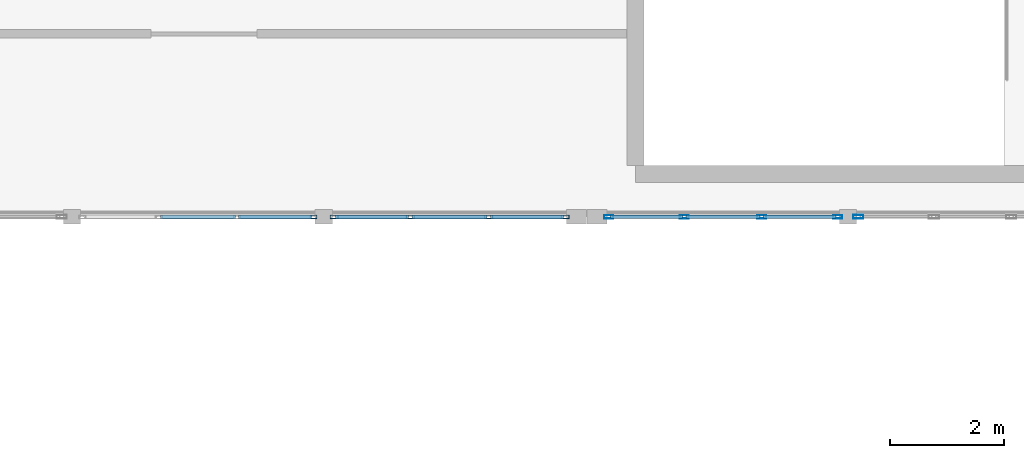
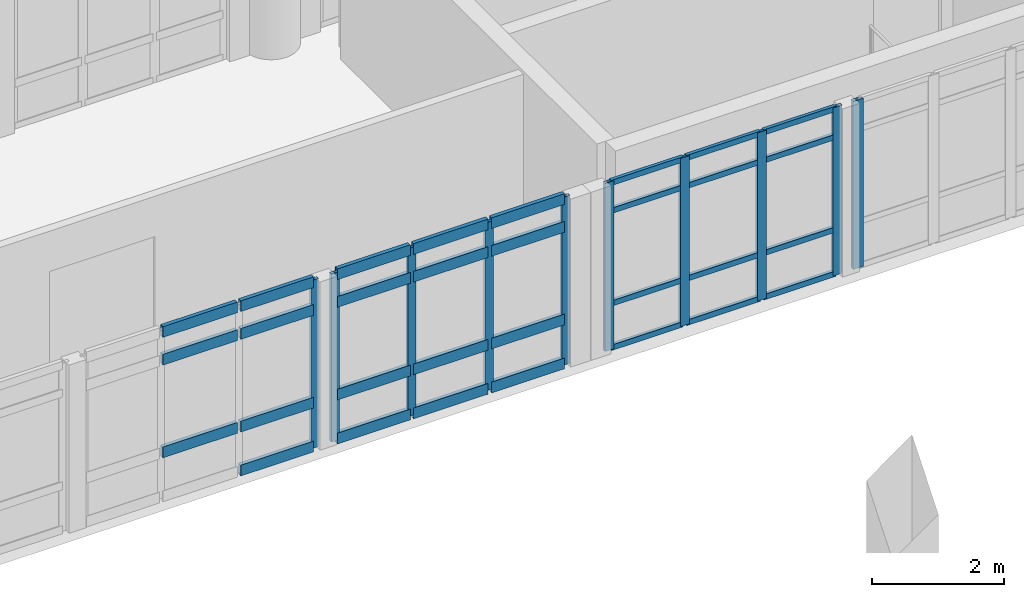
# One storey, part 7 of 37: 41 members, 4 elements without a shape of their own.
"""IFC4 building model written with IfcOpenShell, lengths in metres."""

from ifc_helpers import new_model, si_unit, direction, frame, origin, origin_2d, place, context, subcontext, project, spatial, hollow_rectangle, extrude, material, layer, layer_set, material_profile, profile_set, type_object, element, aggregate, save


model = new_model("IFC4")

# Units and contexts
model_context = context("Model", 3, precision=1e-05, world=origin(), true_north=direction((0.0, 1.0)))
body_context = subcontext(model_context, "Body", "Model", "MODEL_VIEW")
ifc_project = project(units=[si_unit("LENGTHUNIT", "METRE"), si_unit("AREAUNIT", "SQUARE_METRE"), si_unit("VOLUMEUNIT", "CUBIC_METRE"), si_unit("PLANEANGLEUNIT", "RADIAN"), si_unit("MASSUNIT", "GRAM", prefix="KILO")], contexts=[model_context])

# Site, building, storey
site_placement = place(None, origin())
site = spatial("IfcSite", under=ifc_project, at=site_placement, CompositionType="ELEMENT")
building_placement = place(site_placement, origin())
building = spatial("IfcBuilding", under=site, at=building_placement, Name="Fikremerkos Civic Library", CompositionType="ELEMENT")
storey_placement = place(building_placement, frame((0.0, 0.0, 23.39990234375)))
storey = spatial("IfcBuildingStorey", under=building, at=storey_placement, Name="L05", CompositionType="ELEMENT", Elevation=23.39990234375)

# Curtain wall, member
ifc_material = material(Name="Anodized aluminium Frame", Category="aluminium")
ifc_layer_1 = layer(ifc_material, 0.159912109375, Name="Anodized aluminium Frame")
ifc_layer_set_1 = layer_set([ifc_layer_1], Name="Anodized aluminium Frame")
curtain_wall_type_1 = type_object("IfcCurtainWallType", Name="Unitised curtain wall CW-05 3800x4100", PredefinedType="USERDEFINED", material=ifc_layer_set_1)
curtain_wall_1_placement = place(storey_placement, origin())
curtain_wall_1 = element("IfcCurtainWall", 1, at=curtain_wall_1_placement, inside=storey, type_object=curtain_wall_type_1, Name="Unitised curtain wall CW-05 L05 #293", ObjectType="UNITISED CURTAIN WALL", PredefinedType="USERDEFINED")
ifc_material_profile_1 = material_profile(ifc_material, hollow_rectangle(XDim=0.06494140625, YDim=0.179931640625, WallThickness=0.00439453125, at=origin_2d()), Name="ALU 180x65x4.5")
ifc_profile_set_1 = profile_set([ifc_material_profile_1], Name="Anodized aluminium Frame")
member_type_1 = type_object("IfcMemberType", Name="Curtain mullion CWM-01 ALU 180x65x4.5", PredefinedType="MULLION", material=ifc_profile_set_1)
member_1_placement = place(storey_placement, frame((50.949951171875, 21.60009765625, 0.0), z_axis=(0.0, 0.0, 1.0), x_axis=(0.0, -1.0, 0.0)))
member_1 = element("IfcMember", 2, at=member_1_placement, type_object=member_type_1, Name="CW-05 mullion 4", PredefinedType="MULLION", context=body_context, shape_type="SweptSolid", body=[
    extrude(hollow_rectangle(XDim=0.06494140625, YDim=0.179931640625, WallThickness=0.00439453125, at=origin_2d()), origin(), (0.0, 0.0, 1.0), 3.1201171875),
])
aggregate(curtain_wall_1, [member_1])

# Curtain wall, members
ifc_layer_2 = layer(ifc_material, 0.159912109375, Name="Anodized aluminium Frame")
ifc_layer_set_2 = layer_set([ifc_layer_2], Name="Anodized aluminium Frame")
curtain_wall_type_2 = type_object("IfcCurtainWallType", Name="Unitised curtain wall CW-06 4200x4100", PredefinedType="USERDEFINED", material=ifc_layer_set_2)
curtain_wall_2_placement = place(storey_placement, origin())
curtain_wall_2 = element("IfcCurtainWall", 3, at=curtain_wall_2_placement, inside=storey, type_object=curtain_wall_type_2, Name="Unitised curtain wall CW-06 L05 #294", ObjectType="UNITISED CURTAIN WALL", PredefinedType="USERDEFINED")
ifc_material_profile_2 = material_profile(ifc_material, hollow_rectangle(XDim=0.06005859375, YDim=0.159912109375, WallThickness=0.00390625, at=origin_2d()), Name="ALU 160x60x4")
ifc_profile_set_2 = profile_set([ifc_material_profile_2], Name="Anodized aluminium Frame")
member_type_2 = type_object("IfcMemberType", Name="Curtain mullion CWM-02 ALU 160x60x4", PredefinedType="MULLION", material=ifc_profile_set_2)
member_2_placement = place(storey_placement, frame((50.58740234375, 21.60009765625, 0.0), z_axis=(0.0, 0.0, 1.0), x_axis=(0.0, -1.0, 0.0)))
member_2 = element("IfcMember", 4, at=member_2_placement, type_object=member_type_2, Name="CW-06 mullion 1", PredefinedType="MULLION", context=body_context, shape_type="SweptSolid", body=[
    extrude(hollow_rectangle(XDim=0.06005859375, YDim=0.159912109375, WallThickness=0.00390625, at=origin_2d()), origin(), (0.0, 0.0, 1.0), 3.1201171875),
])
member_3_placement = place(storey_placement, frame((49.26220703125, 21.60009765625, 0.0), z_axis=(0.0, 0.0, 1.0), x_axis=(0.0, -1.0, 0.0)))
member_3 = element("IfcMember", 5, at=member_3_placement, type_object=member_type_2, Name="CW-06 mullion 2", PredefinedType="MULLION", context=body_context, shape_type="SweptSolid", body=[
    extrude(hollow_rectangle(XDim=0.06005859375, YDim=0.159912109375, WallThickness=0.00390625, at=origin_2d()), origin(), (0.0, 0.0, 1.0), 3.1201171875),
])
member_4_placement = place(storey_placement, frame((47.9072265625, 21.60009765625, 0.0), z_axis=(0.0, 0.0, 1.0), x_axis=(0.0, -1.0, 0.0)))
member_4 = element("IfcMember", 6, at=member_4_placement, type_object=member_type_2, Name="CW-06 mullion 3", PredefinedType="MULLION", context=body_context, shape_type="SweptSolid", body=[
    extrude(hollow_rectangle(XDim=0.06005859375, YDim=0.159912109375, WallThickness=0.00390625, at=origin_2d()), origin(), (0.0, 0.0, 1.0), 3.1201171875),
])
member_5_placement = place(storey_placement, frame((46.58203125, 21.60009765625, 0.0), z_axis=(0.0, 0.0, 1.0), x_axis=(0.0, -1.0, 0.0)))
member_5 = element("IfcMember", 7, at=member_5_placement, type_object=member_type_2, Name="CW-06 mullion 4", PredefinedType="MULLION", context=body_context, shape_type="SweptSolid", body=[
    extrude(hollow_rectangle(XDim=0.06005859375, YDim=0.159912109375, WallThickness=0.00390625, at=origin_2d()), origin(), (0.0, 0.0, 1.0), 3.1201171875),
])

ifc_layer_3 = layer(ifc_material, 0.159912109375, Name="Anodized aluminium Frame")
ifc_layer_set_3 = layer_set([ifc_layer_3], Name="Anodized aluminium Frame")
curtain_wall_type_3 = type_object("IfcCurtainWallType", Name="Unitised curtain wall CW-07 3500x4100", PredefinedType="USERDEFINED", material=ifc_layer_set_3)
curtain_wall_3_placement = place(storey_placement, origin())
curtain_wall_3 = element("IfcCurtainWall", 8, at=curtain_wall_3_placement, inside=storey, type_object=curtain_wall_type_3, Name="Unitised curtain wall CW-07 L05 #295", ObjectType="UNITISED CURTAIN WALL", PredefinedType="USERDEFINED")
ifc_material_profile_3 = material_profile(ifc_material, hollow_rectangle(XDim=0.06005859375, YDim=0.139892578125, WallThickness=0.00390625, at=origin_2d()), Name="ALU 140x60x4")
ifc_profile_set_3 = profile_set([ifc_material_profile_3], Name="Anodized aluminium Frame")
member_type_3 = type_object("IfcMemberType", Name="Curtain mullion CWM-03 ALU 140x60x4", PredefinedType="MULLION", material=ifc_profile_set_3)
member_6_placement = place(storey_placement, frame((45.818115234375, 21.60009765625, 0.0), z_axis=(0.0, 0.0, 1.0), x_axis=(0.0, -1.0, 0.0)))
member_6 = element("IfcMember", 9, at=member_6_placement, type_object=member_type_3, Name="CW-07 mullion 1", PredefinedType="MULLION", context=body_context, shape_type="SweptSolid", body=[
    extrude(hollow_rectangle(XDim=0.06005859375, YDim=0.139892578125, WallThickness=0.00390625, at=origin_2d()), origin(), (0.0, 0.0, 1.0), 3.1201171875),
])
member_7_placement = place(storey_placement, frame((44.48046875, 21.60009765625, 0.0), z_axis=(0.0, 0.0, 1.0), x_axis=(0.0, -1.0, 0.0)))
member_7 = element("IfcMember", 10, at=member_7_placement, type_object=member_type_3, Name="CW-07 mullion 2", PredefinedType="MULLION", context=body_context, shape_type="SweptSolid", body=[
    extrude(hollow_rectangle(XDim=0.06005859375, YDim=0.139892578125, WallThickness=0.00390625, at=origin_2d()), origin(), (0.0, 0.0, 1.0), 3.1201171875),
])
member_8_placement = place(storey_placement, frame((43.11279296875, 21.60009765625, 0.0), z_axis=(0.0, 0.0, 1.0), x_axis=(0.0, -1.0, 0.0)))
member_8 = element("IfcMember", 11, at=member_8_placement, type_object=member_type_3, Name="CW-07 mullion 3", PredefinedType="MULLION", context=body_context, shape_type="SweptSolid", body=[
    extrude(hollow_rectangle(XDim=0.06005859375, YDim=0.139892578125, WallThickness=0.00390625, at=origin_2d()), origin(), (0.0, 0.0, 1.0), 3.1201171875),
])
member_9_placement = place(storey_placement, frame((41.775390625, 21.60009765625, 0.0), z_axis=(0.0, 0.0, 1.0), x_axis=(0.0, -1.0, 0.0)))
member_9 = element("IfcMember", 12, at=member_9_placement, type_object=member_type_3, Name="CW-07 mullion 4", PredefinedType="MULLION", context=body_context, shape_type="SweptSolid", body=[
    extrude(hollow_rectangle(XDim=0.06005859375, YDim=0.139892578125, WallThickness=0.00390625, at=origin_2d()), origin(), (0.0, 0.0, 1.0), 3.1201171875),
])

# Curtain wall, member
ifc_layer_4 = layer(ifc_material, 0.159912109375, Name="Anodized aluminium Frame")
ifc_layer_set_4 = layer_set([ifc_layer_4], Name="Anodized aluminium Frame")
curtain_wall_type_4 = type_object("IfcCurtainWallType", Name="Unitised curtain wall CW-08 4500x4100", PredefinedType="USERDEFINED", material=ifc_layer_set_4)
curtain_wall_4_placement = place(storey_placement, origin())
curtain_wall_4 = element("IfcCurtainWall", 13, at=curtain_wall_4_placement, inside=storey, type_object=curtain_wall_type_4, Name="Unitised curtain wall CW-08 L05 #296", ObjectType="UNITISED CURTAIN WALL", PredefinedType="USERDEFINED")
ifc_material_profile_4 = material_profile(ifc_material, hollow_rectangle(XDim=0.06005859375, YDim=0.1201171875, WallThickness=0.00390625, at=origin_2d()), Name="ALU 120x60x4")
ifc_profile_set_4 = profile_set([ifc_material_profile_4], Name="Anodized aluminium Frame")
member_type_4 = type_object("IfcMemberType", Name="Curtain mullion CWM-04 ALU 120x60x4", PredefinedType="MULLION", material=ifc_profile_set_4)
member_10_placement = place(storey_placement, frame((41.415283203125, 21.60009765625, 0.0), z_axis=(0.0, 0.0, 1.0), x_axis=(0.0, -1.0, 0.0)))
member_10 = element("IfcMember", 14, at=member_10_placement, type_object=member_type_4, Name="CW-08 mullion 1", PredefinedType="MULLION", context=body_context, shape_type="SweptSolid", body=[
    extrude(hollow_rectangle(XDim=0.06005859375, YDim=0.1201171875, WallThickness=0.00390625, at=origin_2d()), origin(), (0.0, 0.0, 1.0), 3.1201171875),
])

# Member
ifc_material_profile_5 = material_profile(ifc_material, hollow_rectangle(XDim=0.06005859375, YDim=0.10009765625, WallThickness=0.00390625, at=origin_2d()), Name="ALU 100x60x4")
ifc_profile_set_5 = profile_set([ifc_material_profile_5], Name="Anodized aluminium Frame")
member_type_5 = type_object("IfcMemberType", Name="Curtain transom CWT-03 ALU 100x60x4", PredefinedType="USERDEFINED", material=ifc_profile_set_5)
member_11_placement = place(storey_placement, frame((50.557373046875, 21.60009765625, 0.030029296875), z_axis=(-1.0, 0.0, 0.0), x_axis=(0.0, -1.0, 0.0)))
member_11 = element("IfcMember", 15, at=member_11_placement, type_object=member_type_5, Name="CW-06 transom 1.1", ObjectType="TRANSOM", PredefinedType="USERDEFINED", context=body_context, shape_type="SweptSolid", body=[
    extrude(hollow_rectangle(XDim=0.06005859375, YDim=0.10009765625, WallThickness=0.00390625, at=origin_2d()), origin(), (0.0, 0.0, 1.0), 1.26513671875),
])

member_12_placement = place(storey_placement, frame((50.557373046875, 21.60009765625, 0.85009765625), z_axis=(-1.0, 0.0, 0.0), x_axis=(0.0, -1.0, 0.0)))
member_12 = element("IfcMember", 16, at=member_12_placement, type_object=member_type_5, Name="CW-06 transom 1.2", ObjectType="TRANSOM", PredefinedType="USERDEFINED", context=body_context, shape_type="SweptSolid", body=[
    extrude(hollow_rectangle(XDim=0.06005859375, YDim=0.10009765625, WallThickness=0.00390625, at=origin_2d()), origin(), (0.0, 0.0, 1.0), 1.26513671875),
])

member_13_placement = place(storey_placement, frame((50.557373046875, 21.60009765625, 2.570068359375), z_axis=(-1.0, 0.0, 0.0), x_axis=(0.0, -1.0, 0.0)))
member_13 = element("IfcMember", 17, at=member_13_placement, type_object=member_type_5, Name="CW-06 transom 1.3", ObjectType="TRANSOM", PredefinedType="USERDEFINED", context=body_context, shape_type="SweptSolid", body=[
    extrude(hollow_rectangle(XDim=0.06005859375, YDim=0.10009765625, WallThickness=0.00390625, at=origin_2d()), origin(), (0.0, 0.0, 1.0), 1.26513671875),
])

member_14_placement = place(storey_placement, frame((50.557373046875, 21.60009765625, 3.090087890625), z_axis=(-1.0, 0.0, 0.0), x_axis=(0.0, -1.0, 0.0)))
member_14 = element("IfcMember", 18, at=member_14_placement, type_object=member_type_5, Name="CW-06 transom 1.4", ObjectType="TRANSOM", PredefinedType="USERDEFINED", context=body_context, shape_type="SweptSolid", body=[
    extrude(hollow_rectangle(XDim=0.06005859375, YDim=0.10009765625, WallThickness=0.00390625, at=origin_2d()), origin(), (0.0, 0.0, 1.0), 1.26513671875),
])

member_15_placement = place(storey_placement, frame((49.232177734375, 21.60009765625, 0.030029296875), z_axis=(-1.0, 0.0, 0.0), x_axis=(0.0, -1.0, 0.0)))
member_15 = element("IfcMember", 19, at=member_15_placement, type_object=member_type_5, Name="CW-06 transom 2.1", ObjectType="TRANSOM", PredefinedType="USERDEFINED", context=body_context, shape_type="SweptSolid", body=[
    extrude(hollow_rectangle(XDim=0.06005859375, YDim=0.10009765625, WallThickness=0.00390625, at=origin_2d()), origin(), (0.0, 0.0, 1.0), 1.295166015625),
])

member_16_placement = place(storey_placement, frame((49.232177734375, 21.60009765625, 0.85009765625), z_axis=(-1.0, 0.0, 0.0), x_axis=(0.0, -1.0, 0.0)))
member_16 = element("IfcMember", 20, at=member_16_placement, type_object=member_type_5, Name="CW-06 transom 2.2", ObjectType="TRANSOM", PredefinedType="USERDEFINED", context=body_context, shape_type="SweptSolid", body=[
    extrude(hollow_rectangle(XDim=0.06005859375, YDim=0.10009765625, WallThickness=0.00390625, at=origin_2d()), origin(), (0.0, 0.0, 1.0), 1.295166015625),
])

member_17_placement = place(storey_placement, frame((49.232177734375, 21.60009765625, 2.570068359375), z_axis=(-1.0, 0.0, 0.0), x_axis=(0.0, -1.0, 0.0)))
member_17 = element("IfcMember", 21, at=member_17_placement, type_object=member_type_5, Name="CW-06 transom 2.3", ObjectType="TRANSOM", PredefinedType="USERDEFINED", context=body_context, shape_type="SweptSolid", body=[
    extrude(hollow_rectangle(XDim=0.06005859375, YDim=0.10009765625, WallThickness=0.00390625, at=origin_2d()), origin(), (0.0, 0.0, 1.0), 1.295166015625),
])

member_18_placement = place(storey_placement, frame((49.232177734375, 21.60009765625, 3.090087890625), z_axis=(-1.0, 0.0, 0.0), x_axis=(0.0, -1.0, 0.0)))
member_18 = element("IfcMember", 22, at=member_18_placement, type_object=member_type_5, Name="CW-06 transom 2.4", ObjectType="TRANSOM", PredefinedType="USERDEFINED", context=body_context, shape_type="SweptSolid", body=[
    extrude(hollow_rectangle(XDim=0.06005859375, YDim=0.10009765625, WallThickness=0.00390625, at=origin_2d()), origin(), (0.0, 0.0, 1.0), 1.295166015625),
])

member_19_placement = place(storey_placement, frame((47.877197265625, 21.60009765625, 0.030029296875), z_axis=(-1.0, 0.0, 0.0), x_axis=(0.0, -1.0, 0.0)))
member_19 = element("IfcMember", 23, at=member_19_placement, type_object=member_type_5, Name="CW-06 transom 3.1", ObjectType="TRANSOM", PredefinedType="USERDEFINED", context=body_context, shape_type="SweptSolid", body=[
    extrude(hollow_rectangle(XDim=0.06005859375, YDim=0.10009765625, WallThickness=0.00390625, at=origin_2d()), origin(), (0.0, 0.0, 1.0), 1.26513671875),
])

member_20_placement = place(storey_placement, frame((47.877197265625, 21.60009765625, 0.85009765625), z_axis=(-1.0, 0.0, 0.0), x_axis=(0.0, -1.0, 0.0)))
member_20 = element("IfcMember", 24, at=member_20_placement, type_object=member_type_5, Name="CW-06 transom 3.2", ObjectType="TRANSOM", PredefinedType="USERDEFINED", context=body_context, shape_type="SweptSolid", body=[
    extrude(hollow_rectangle(XDim=0.06005859375, YDim=0.10009765625, WallThickness=0.00390625, at=origin_2d()), origin(), (0.0, 0.0, 1.0), 1.26513671875),
])

member_21_placement = place(storey_placement, frame((47.877197265625, 21.60009765625, 2.570068359375), z_axis=(-1.0, 0.0, 0.0), x_axis=(0.0, -1.0, 0.0)))
member_21 = element("IfcMember", 25, at=member_21_placement, type_object=member_type_5, Name="CW-06 transom 3.3", ObjectType="TRANSOM", PredefinedType="USERDEFINED", context=body_context, shape_type="SweptSolid", body=[
    extrude(hollow_rectangle(XDim=0.06005859375, YDim=0.10009765625, WallThickness=0.00390625, at=origin_2d()), origin(), (0.0, 0.0, 1.0), 1.26513671875),
])

member_22_placement = place(storey_placement, frame((47.877197265625, 21.60009765625, 3.090087890625), z_axis=(-1.0, 0.0, 0.0), x_axis=(0.0, -1.0, 0.0)))
member_22 = element("IfcMember", 26, at=member_22_placement, type_object=member_type_5, Name="CW-06 transom 3.4", ObjectType="TRANSOM", PredefinedType="USERDEFINED", context=body_context, shape_type="SweptSolid", body=[
    extrude(hollow_rectangle(XDim=0.06005859375, YDim=0.10009765625, WallThickness=0.00390625, at=origin_2d()), origin(), (0.0, 0.0, 1.0), 1.26513671875),
])

aggregate(curtain_wall_2, [member_2, member_3, member_4, member_5, member_11, member_12, member_13, member_14, member_15, member_16, member_17, member_18, member_19, member_20, member_21, member_22])

ifc_material_profile_6 = material_profile(ifc_material, hollow_rectangle(XDim=0.070068359375, YDim=0.199951171875, WallThickness=0.0048828125, at=origin_2d()), Name="ALU 200x70x5")
ifc_profile_set_6 = profile_set([ifc_material_profile_6], Name="Anodized aluminium Frame")
member_type_6 = type_object("IfcMemberType", Name="Curtain transom CWT-04 ALU 200x70x5", PredefinedType="USERDEFINED", material=ifc_profile_set_6)
member_23_placement = place(storey_placement, frame((45.7880859375, 21.60009765625, 0.03515625), z_axis=(-1.0, 0.0, 0.0), x_axis=(0.0, -1.0, 0.0)))
member_23 = element("IfcMember", 27, at=member_23_placement, type_object=member_type_6, Name="CW-07 transom 1.1", ObjectType="TRANSOM", PredefinedType="USERDEFINED", context=body_context, shape_type="SweptSolid", body=[
    extrude(hollow_rectangle(XDim=0.070068359375, YDim=0.199951171875, WallThickness=0.0048828125, at=origin_2d()), origin(), (0.0, 0.0, 1.0), 1.277587890625),
])

member_24_placement = place(storey_placement, frame((45.7880859375, 21.60009765625, 0.85009765625), z_axis=(-1.0, 0.0, 0.0), x_axis=(0.0, -1.0, 0.0)))
member_24 = element("IfcMember", 28, at=member_24_placement, type_object=member_type_6, Name="CW-07 transom 1.2", ObjectType="TRANSOM", PredefinedType="USERDEFINED", context=body_context, shape_type="SweptSolid", body=[
    extrude(hollow_rectangle(XDim=0.070068359375, YDim=0.199951171875, WallThickness=0.0048828125, at=origin_2d()), origin(), (0.0, 0.0, 1.0), 1.277587890625),
])

member_25_placement = place(storey_placement, frame((45.7880859375, 21.60009765625, 2.570068359375), z_axis=(-1.0, 0.0, 0.0), x_axis=(0.0, -1.0, 0.0)))
member_25 = element("IfcMember", 29, at=member_25_placement, type_object=member_type_6, Name="CW-07 transom 1.3", ObjectType="TRANSOM", PredefinedType="USERDEFINED", context=body_context, shape_type="SweptSolid", body=[
    extrude(hollow_rectangle(XDim=0.070068359375, YDim=0.199951171875, WallThickness=0.0048828125, at=origin_2d()), origin(), (0.0, 0.0, 1.0), 1.277587890625),
])

member_26_placement = place(storey_placement, frame((45.7880859375, 21.60009765625, 3.085205078125), z_axis=(-1.0, 0.0, 0.0), x_axis=(0.0, -1.0, 0.0)))
member_26 = element("IfcMember", 30, at=member_26_placement, type_object=member_type_6, Name="CW-07 transom 1.4", ObjectType="TRANSOM", PredefinedType="USERDEFINED", context=body_context, shape_type="SweptSolid", body=[
    extrude(hollow_rectangle(XDim=0.070068359375, YDim=0.199951171875, WallThickness=0.0048828125, at=origin_2d()), origin(), (0.0, 0.0, 1.0), 1.277587890625),
])

member_27_placement = place(storey_placement, frame((44.450439453125, 21.60009765625, 0.03515625), z_axis=(-1.0, 0.0, 0.0), x_axis=(0.0, -1.0, 0.0)))
member_27 = element("IfcMember", 31, at=member_27_placement, type_object=member_type_6, Name="CW-07 transom 2.1", ObjectType="TRANSOM", PredefinedType="USERDEFINED", context=body_context, shape_type="SweptSolid", body=[
    extrude(hollow_rectangle(XDim=0.070068359375, YDim=0.199951171875, WallThickness=0.0048828125, at=origin_2d()), origin(), (0.0, 0.0, 1.0), 1.3076171875),
])

member_28_placement = place(storey_placement, frame((44.450439453125, 21.60009765625, 0.85009765625), z_axis=(-1.0, 0.0, 0.0), x_axis=(0.0, -1.0, 0.0)))
member_28 = element("IfcMember", 32, at=member_28_placement, type_object=member_type_6, Name="CW-07 transom 2.2", ObjectType="TRANSOM", PredefinedType="USERDEFINED", context=body_context, shape_type="SweptSolid", body=[
    extrude(hollow_rectangle(XDim=0.070068359375, YDim=0.199951171875, WallThickness=0.0048828125, at=origin_2d()), origin(), (0.0, 0.0, 1.0), 1.3076171875),
])

member_29_placement = place(storey_placement, frame((44.450439453125, 21.60009765625, 2.570068359375), z_axis=(-1.0, 0.0, 0.0), x_axis=(0.0, -1.0, 0.0)))
member_29 = element("IfcMember", 33, at=member_29_placement, type_object=member_type_6, Name="CW-07 transom 2.3", ObjectType="TRANSOM", PredefinedType="USERDEFINED", context=body_context, shape_type="SweptSolid", body=[
    extrude(hollow_rectangle(XDim=0.070068359375, YDim=0.199951171875, WallThickness=0.0048828125, at=origin_2d()), origin(), (0.0, 0.0, 1.0), 1.3076171875),
])

member_30_placement = place(storey_placement, frame((44.450439453125, 21.60009765625, 3.085205078125), z_axis=(-1.0, 0.0, 0.0), x_axis=(0.0, -1.0, 0.0)))
member_30 = element("IfcMember", 34, at=member_30_placement, type_object=member_type_6, Name="CW-07 transom 2.4", ObjectType="TRANSOM", PredefinedType="USERDEFINED", context=body_context, shape_type="SweptSolid", body=[
    extrude(hollow_rectangle(XDim=0.070068359375, YDim=0.199951171875, WallThickness=0.0048828125, at=origin_2d()), origin(), (0.0, 0.0, 1.0), 1.3076171875),
])

member_31_placement = place(storey_placement, frame((43.0830078125, 21.60009765625, 0.03515625), z_axis=(-1.0, 0.0, 0.0), x_axis=(0.0, -1.0, 0.0)))
member_31 = element("IfcMember", 35, at=member_31_placement, type_object=member_type_6, Name="CW-07 transom 3.1", ObjectType="TRANSOM", PredefinedType="USERDEFINED", context=body_context, shape_type="SweptSolid", body=[
    extrude(hollow_rectangle(XDim=0.070068359375, YDim=0.199951171875, WallThickness=0.0048828125, at=origin_2d()), origin(), (0.0, 0.0, 1.0), 1.277587890625),
])

member_32_placement = place(storey_placement, frame((43.0830078125, 21.60009765625, 0.85009765625), z_axis=(-1.0, 0.0, 0.0), x_axis=(0.0, -1.0, 0.0)))
member_32 = element("IfcMember", 36, at=member_32_placement, type_object=member_type_6, Name="CW-07 transom 3.2", ObjectType="TRANSOM", PredefinedType="USERDEFINED", context=body_context, shape_type="SweptSolid", body=[
    extrude(hollow_rectangle(XDim=0.070068359375, YDim=0.199951171875, WallThickness=0.0048828125, at=origin_2d()), origin(), (0.0, 0.0, 1.0), 1.277587890625),
])

member_33_placement = place(storey_placement, frame((43.0830078125, 21.60009765625, 2.570068359375), z_axis=(-1.0, 0.0, 0.0), x_axis=(0.0, -1.0, 0.0)))
member_33 = element("IfcMember", 37, at=member_33_placement, type_object=member_type_6, Name="CW-07 transom 3.3", ObjectType="TRANSOM", PredefinedType="USERDEFINED", context=body_context, shape_type="SweptSolid", body=[
    extrude(hollow_rectangle(XDim=0.070068359375, YDim=0.199951171875, WallThickness=0.0048828125, at=origin_2d()), origin(), (0.0, 0.0, 1.0), 1.277587890625),
])

member_34_placement = place(storey_placement, frame((43.0830078125, 21.60009765625, 3.085205078125), z_axis=(-1.0, 0.0, 0.0), x_axis=(0.0, -1.0, 0.0)))
member_34 = element("IfcMember", 38, at=member_34_placement, type_object=member_type_6, Name="CW-07 transom 3.4", ObjectType="TRANSOM", PredefinedType="USERDEFINED", context=body_context, shape_type="SweptSolid", body=[
    extrude(hollow_rectangle(XDim=0.070068359375, YDim=0.199951171875, WallThickness=0.0048828125, at=origin_2d()), origin(), (0.0, 0.0, 1.0), 1.277587890625),
])

aggregate(curtain_wall_3, [member_6, member_7, member_8, member_9, member_23, member_24, member_25, member_26, member_27, member_28, member_29, member_30, member_31, member_32, member_33, member_34])

member_35_placement = place(storey_placement, frame((41.38525390625, 21.60009765625, 0.03515625), z_axis=(-1.0, 0.0, 0.0), x_axis=(0.0, -1.0, 0.0)))
member_35 = element("IfcMember", 39, at=member_35_placement, type_object=member_type_6, Name="CW-08 transom 1.1", ObjectType="TRANSOM", PredefinedType="USERDEFINED", context=body_context, shape_type="SweptSolid", body=[
    extrude(hollow_rectangle(XDim=0.070068359375, YDim=0.199951171875, WallThickness=0.0048828125, at=origin_2d()), origin(), (0.0, 0.0, 1.0), 1.277587890625),
])

member_36_placement = place(storey_placement, frame((41.38525390625, 21.60009765625, 0.85009765625), z_axis=(-1.0, 0.0, 0.0), x_axis=(0.0, -1.0, 0.0)))
member_36 = element("IfcMember", 40, at=member_36_placement, type_object=member_type_6, Name="CW-08 transom 1.2", ObjectType="TRANSOM", PredefinedType="USERDEFINED", context=body_context, shape_type="SweptSolid", body=[
    extrude(hollow_rectangle(XDim=0.070068359375, YDim=0.199951171875, WallThickness=0.0048828125, at=origin_2d()), origin(), (0.0, 0.0, 1.0), 1.277587890625),
])

member_37_placement = place(storey_placement, frame((41.38525390625, 21.60009765625, 2.570068359375), z_axis=(-1.0, 0.0, 0.0), x_axis=(0.0, -1.0, 0.0)))
member_37 = element("IfcMember", 41, at=member_37_placement, type_object=member_type_6, Name="CW-08 transom 1.3", ObjectType="TRANSOM", PredefinedType="USERDEFINED", context=body_context, shape_type="SweptSolid", body=[
    extrude(hollow_rectangle(XDim=0.070068359375, YDim=0.199951171875, WallThickness=0.0048828125, at=origin_2d()), origin(), (0.0, 0.0, 1.0), 1.277587890625),
])

member_38_placement = place(storey_placement, frame((41.38525390625, 21.60009765625, 3.085205078125), z_axis=(-1.0, 0.0, 0.0), x_axis=(0.0, -1.0, 0.0)))
member_38 = element("IfcMember", 42, at=member_38_placement, type_object=member_type_6, Name="CW-08 transom 1.4", ObjectType="TRANSOM", PredefinedType="USERDEFINED", context=body_context, shape_type="SweptSolid", body=[
    extrude(hollow_rectangle(XDim=0.070068359375, YDim=0.199951171875, WallThickness=0.0048828125, at=origin_2d()), origin(), (0.0, 0.0, 1.0), 1.277587890625),
])

member_39_placement = place(storey_placement, frame((40.0478515625, 21.60009765625, 0.85009765625), z_axis=(-1.0, 0.0, 0.0), x_axis=(0.0, -1.0, 0.0)))
member_39 = element("IfcMember", 43, at=member_39_placement, type_object=member_type_6, Name="CW-08 transom 2.2", ObjectType="TRANSOM", PredefinedType="USERDEFINED", context=body_context, shape_type="SweptSolid", body=[
    extrude(hollow_rectangle(XDim=0.070068359375, YDim=0.199951171875, WallThickness=0.0048828125, at=origin_2d()), origin(), (0.0, 0.0, 1.0), 1.3076171875),
])

member_40_placement = place(storey_placement, frame((40.0478515625, 21.60009765625, 2.570068359375), z_axis=(-1.0, 0.0, 0.0), x_axis=(0.0, -1.0, 0.0)))
member_40 = element("IfcMember", 44, at=member_40_placement, type_object=member_type_6, Name="CW-08 transom 2.3", ObjectType="TRANSOM", PredefinedType="USERDEFINED", context=body_context, shape_type="SweptSolid", body=[
    extrude(hollow_rectangle(XDim=0.070068359375, YDim=0.199951171875, WallThickness=0.0048828125, at=origin_2d()), origin(), (0.0, 0.0, 1.0), 1.3076171875),
])

member_41_placement = place(storey_placement, frame((40.0478515625, 21.60009765625, 3.085205078125), z_axis=(-1.0, 0.0, 0.0), x_axis=(0.0, -1.0, 0.0)))
member_41 = element("IfcMember", 45, at=member_41_placement, type_object=member_type_6, Name="CW-08 transom 2.4", ObjectType="TRANSOM", PredefinedType="USERDEFINED", context=body_context, shape_type="SweptSolid", body=[
    extrude(hollow_rectangle(XDim=0.070068359375, YDim=0.199951171875, WallThickness=0.0048828125, at=origin_2d()), origin(), (0.0, 0.0, 1.0), 1.3076171875),
])

aggregate(curtain_wall_4, [member_10, member_35, member_36, member_37, member_38, member_39, member_40, member_41])

save(model, "model.ifc")
